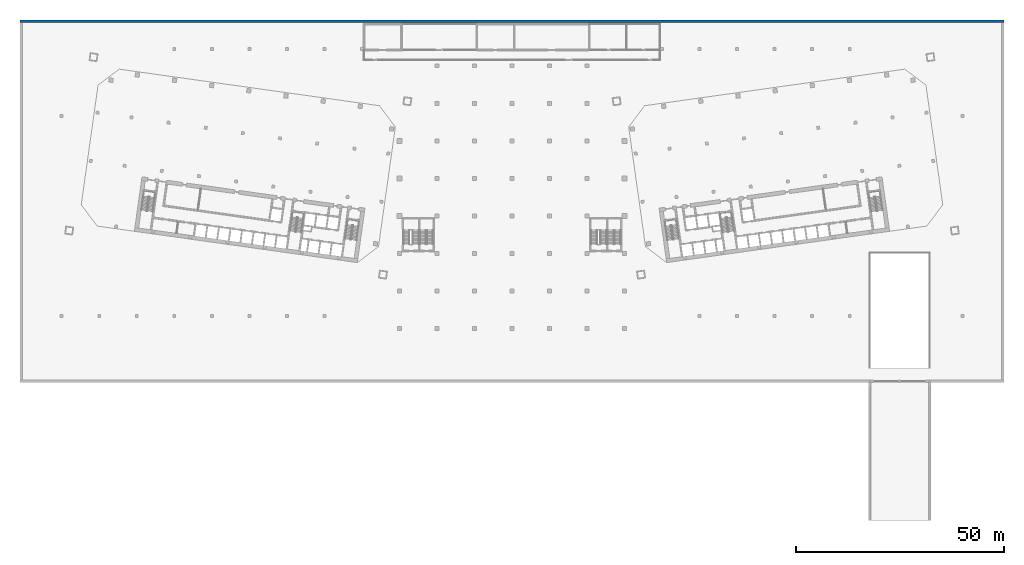
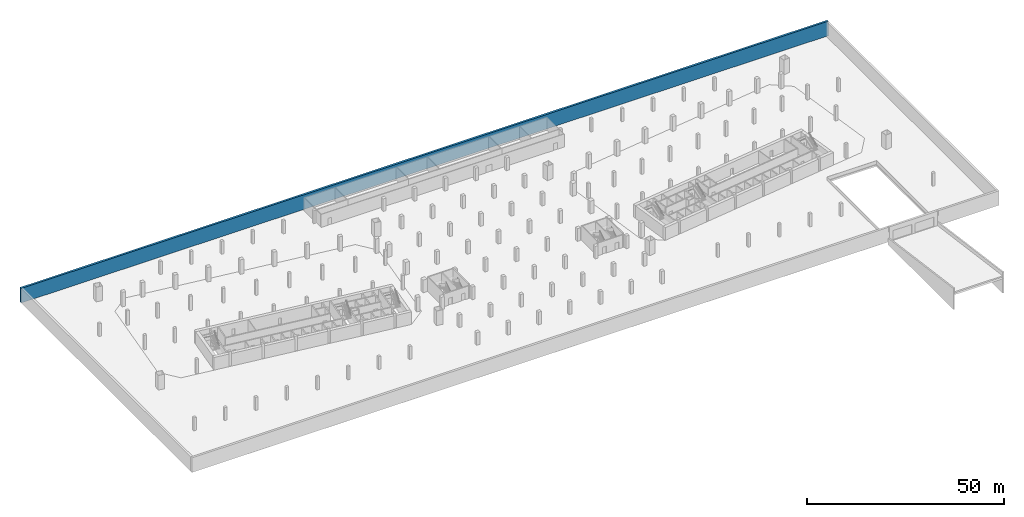
# One storey, part 7 of 17: 1 wall.
"""IFC4 building model written with IfcOpenShell, lengths in metres."""

from ifc_helpers import new_model, si_unit, direction, frame, frame_2d, origin, place, context, subcontext, project, spatial, rectangle, extrude, material, layer, layer_set, type_object, element, save


model = new_model("IFC4")

# Units and contexts
model_context = context("Model", 3, precision=1e-05, world=origin(), true_north=direction((0.0, 1.0)))
body_context = subcontext(model_context, "Body", "Model", "MODEL_VIEW")
ifc_project = project(units=[si_unit("LENGTHUNIT", "METRE"), si_unit("AREAUNIT", "SQUARE_METRE"), si_unit("VOLUMEUNIT", "CUBIC_METRE"), si_unit("PLANEANGLEUNIT", "RADIAN"), si_unit("MASSUNIT", "GRAM", prefix="KILO")], contexts=[model_context])

# Site, building, storey
site_placement = place(None, origin())
site = spatial("IfcSite", under=ifc_project, at=site_placement, CompositionType="ELEMENT")
building_placement = place(site_placement, origin())
building = spatial("IfcBuilding", under=site, at=building_placement, Name="Mirante Cascada Hotel Towers", CompositionType="ELEMENT")
storey_placement = place(building_placement, frame((0.0, 0.0, -4.5)))
storey = spatial("IfcBuildingStorey", under=building, at=storey_placement, Name="B1", CompositionType="ELEMENT", Elevation=-4.5)

# Wall
ifc_material = material(Name="Concrete C35/45", Category="concrete")
ifc_layer = layer(ifc_material, 0.6)
ifc_layer_set = layer_set([ifc_layer], Name="Retaining wall 600 C35/45")
wall_type = type_object("IfcWallType", Name="Retaining wall 600 C35/45", PredefinedType="SOLIDWALL", material=ifc_layer_set)
wall_placement = place(storey_placement, frame((-118.0, 37.7, 0.0), z_axis=(0.0, 0.0, 1.0), x_axis=(1.0, 0.0, 0.0)))
element("IfcWall", 1, at=wall_placement, inside=storey, type_object=wall_type, Name="wall:B:B1:3", PredefinedType="SOLIDWALL", context=body_context, shape_type="SweptSolid", body=[
    extrude(rectangle(XDim=236.0, YDim=0.6, at=frame_2d((118.0, 0.0))), origin(), (0.0, 0.0, 1.0), 4.5),
])

save(model, "model.ifc")
